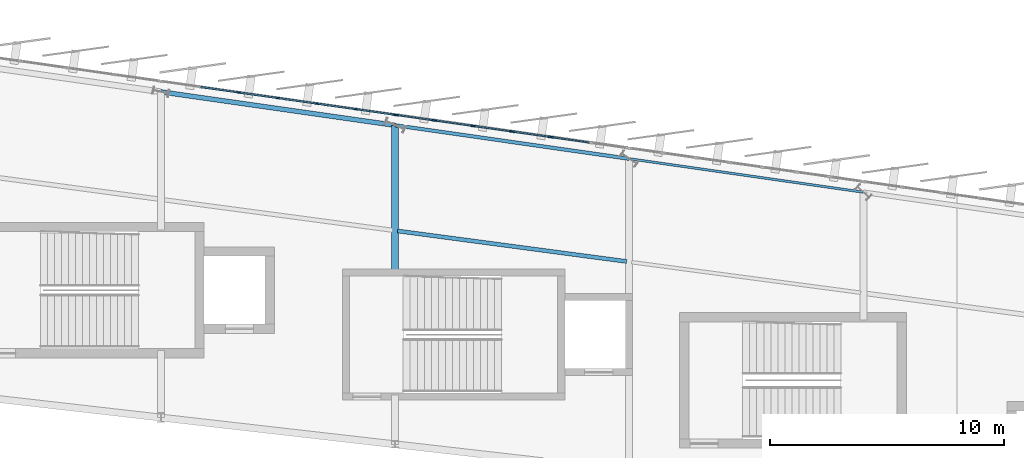
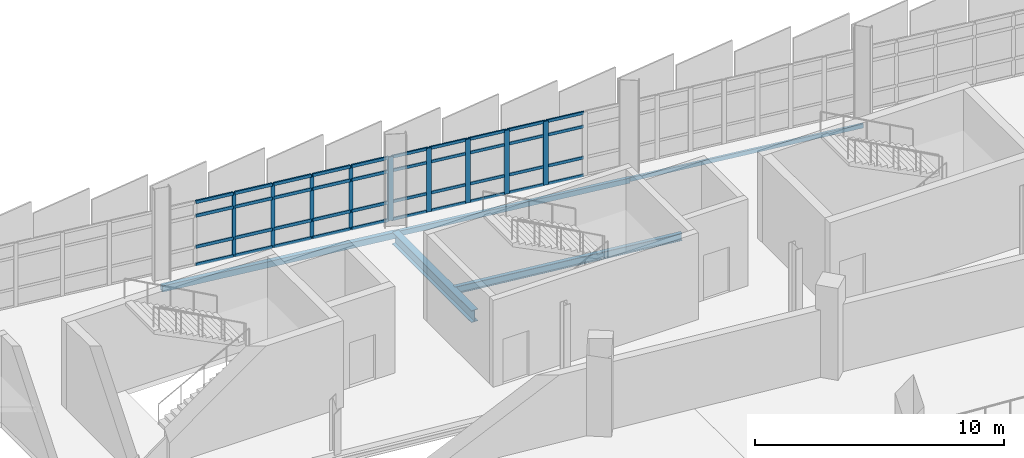
# One storey, part 60 of 125: 50 members, 5 beams, 2 elements without a shape of their own.
"""IFC4 building model written with IfcOpenShell, lengths in metres."""

from ifc_helpers import new_model, si_unit, direction, frame, origin, origin_2d, place, context, subcontext, project, spatial, rectangle, hollow_rectangle, i_section, extrude, material, layer, layer_set, material_profile, profile_set, type_object, element, aggregate, save


model = new_model("IFC4")

# Units and contexts
model_context = context("Model", 3, precision=1e-05, world=origin(), true_north=direction((0.0, 1.0)))
body_context = subcontext(model_context, "Body", "Model", "MODEL_VIEW")
ifc_project = project(units=[si_unit("LENGTHUNIT", "METRE"), si_unit("AREAUNIT", "SQUARE_METRE"), si_unit("VOLUMEUNIT", "CUBIC_METRE"), si_unit("PLANEANGLEUNIT", "RADIAN"), si_unit("MASSUNIT", "GRAM", prefix="KILO")], contexts=[model_context])

# Site, building, storey
site_placement = place(None, origin())
site = spatial("IfcSite", under=ifc_project, at=site_placement, CompositionType="ELEMENT")
building_placement = place(site_placement, origin())
building = spatial("IfcBuilding", under=site, at=building_placement, Name="Sohan Crest Arena", CompositionType="ELEMENT")
storey_placement = place(building_placement, frame((0.0, 0.0, 9.0)))
storey = spatial("IfcBuildingStorey", under=building, at=storey_placement, Name="L02", CompositionType="ELEMENT", Elevation=9.0)

# Curtain wall, members
ifc_material_1 = material(Name="Thermally broken anodised aluminium", Category="aluminium")
ifc_layer_1 = layer(ifc_material_1, 0.219970703125, Name="Thermally broken anodised aluminium")
ifc_layer_set_1 = layer_set([ifc_layer_1], Name="Thermally broken anodised aluminium")
curtain_wall_type_1 = type_object("IfcCurtainWallType", Name="ARC-CW03", PredefinedType="NOTDEFINED", material=ifc_layer_set_1)
curtain_wall_1_placement = place(storey_placement, origin())
curtain_wall_1 = element("IfcCurtainWall", 1, at=curtain_wall_1_placement, inside=storey, type_object=curtain_wall_type_1, Name="Unitised curtain wall CW-078", PredefinedType="NOTDEFINED")
ifc_material_profile_1 = material_profile(ifc_material_1, rectangle(XDim=0.06005859375, YDim=0.159912109375, at=origin_2d()), Name="ALU-MULL 60x160")
ifc_profile_set_1 = profile_set([ifc_material_profile_1], Name="Thermally broken anodised aluminium")
member_type_1 = type_object("IfcMemberType", Name="ARC-CW-ML01", PredefinedType="MULLION", material=ifc_profile_set_1)
member_1_placement = place(storey_placement, frame((117.97021484375, 123.59716796875, 0.0), z_axis=(0.0, 0.0, 1.0), x_axis=(-0.141365918403, -0.989957411768, 0.0)))
member_1 = element("IfcMember", 2, at=member_1_placement, type_object=member_type_1, Name="CW-078 mullion 1", PredefinedType="MULLION", context=body_context, shape_type="SweptSolid", body=[
    extrude(rectangle(XDim=0.06005859375, YDim=0.159912109375, at=origin_2d()), origin(), (0.0, 0.0, 1.0), 3.1201171875),
])
member_2_placement = place(storey_placement, frame((116.333251953125, 123.8310546875, 0.0), z_axis=(0.0, 0.0, 1.0), x_axis=(-0.141365918403, -0.989957411768, 0.0)))
member_2 = element("IfcMember", 3, at=member_2_placement, type_object=member_type_1, Name="CW-078 mullion 2", PredefinedType="MULLION", context=body_context, shape_type="SweptSolid", body=[
    extrude(rectangle(XDim=0.06005859375, YDim=0.159912109375, at=origin_2d()), origin(), (0.0, 0.0, 1.0), 3.1201171875),
])
member_3_placement = place(storey_placement, frame((114.666748046875, 124.069091796875, 0.0), z_axis=(0.0, 0.0, 1.0), x_axis=(-0.141365918403, -0.989957411768, 0.0)))
member_3 = element("IfcMember", 4, at=member_3_placement, type_object=member_type_1, Name="CW-078 mullion 3", PredefinedType="MULLION", context=body_context, shape_type="SweptSolid", body=[
    extrude(rectangle(XDim=0.06005859375, YDim=0.159912109375, at=origin_2d()), origin(), (0.0, 0.0, 1.0), 3.1201171875),
])
member_4_placement = place(storey_placement, frame((113.0, 124.306884765625, 0.0), z_axis=(0.0, 0.0, 1.0), x_axis=(-0.141365918403, -0.989957411768, 0.0)))
member_4 = element("IfcMember", 5, at=member_4_placement, type_object=member_type_1, Name="CW-078 mullion 4", PredefinedType="MULLION", context=body_context, shape_type="SweptSolid", body=[
    extrude(rectangle(XDim=0.06005859375, YDim=0.159912109375, at=origin_2d()), origin(), (0.0, 0.0, 1.0), 3.1201171875),
])
member_5_placement = place(storey_placement, frame((111.333251953125, 124.544921875, 0.0), z_axis=(0.0, 0.0, 1.0), x_axis=(-0.141365918403, -0.989957411768, 0.0)))
member_5 = element("IfcMember", 6, at=member_5_placement, type_object=member_type_1, Name="CW-078 mullion 5", PredefinedType="MULLION", context=body_context, shape_type="SweptSolid", body=[
    extrude(rectangle(XDim=0.06005859375, YDim=0.159912109375, at=origin_2d()), origin(), (0.0, 0.0, 1.0), 3.1201171875),
])

ifc_layer_2 = layer(ifc_material_1, 0.199951171875, Name="Thermally broken anodised aluminium")
ifc_layer_set_2 = layer_set([ifc_layer_2], Name="Thermally broken anodised aluminium")
curtain_wall_type_2 = type_object("IfcCurtainWallType", Name="ARC-CW02", PredefinedType="NOTDEFINED", material=ifc_layer_set_2)
curtain_wall_2_placement = place(storey_placement, origin())
curtain_wall_2 = element("IfcCurtainWall", 7, at=curtain_wall_2_placement, inside=storey, type_object=curtain_wall_type_2, Name="Unitised curtain wall CW-077", PredefinedType="NOTDEFINED")
ifc_material_profile_2 = material_profile(ifc_material_1, rectangle(XDim=0.074951171875, YDim=0.219970703125, at=origin_2d()), Name="ALU-MULL 75x220")
ifc_profile_set_2 = profile_set([ifc_material_profile_2], Name="Thermally broken anodised aluminium")
member_type_2 = type_object("IfcMemberType", Name="ARC-CW-ML04", PredefinedType="MULLION", material=ifc_profile_set_2)
member_6_placement = place(storey_placement, frame((124.666748046875, 122.640380859375, 0.0), z_axis=(0.0, 0.0, 1.0), x_axis=(-0.141462933734, -0.989943553128, 0.0)))
member_6 = element("IfcMember", 8, at=member_6_placement, type_object=member_type_2, Name="CW-077 mullion 3", PredefinedType="MULLION", context=body_context, shape_type="SweptSolid", body=[
    extrude(rectangle(XDim=0.074951171875, YDim=0.219970703125, at=origin_2d()), origin(), (0.0, 0.0, 1.0), 3.1201171875),
])
member_7_placement = place(storey_placement, frame((123.0, 122.87841796875, 0.0), z_axis=(0.0, 0.0, 1.0), x_axis=(-0.141462933734, -0.989943553128, 0.0)))
member_7 = element("IfcMember", 9, at=member_7_placement, type_object=member_type_2, Name="CW-077 mullion 4", PredefinedType="MULLION", context=body_context, shape_type="SweptSolid", body=[
    extrude(rectangle(XDim=0.074951171875, YDim=0.219970703125, at=origin_2d()), origin(), (0.0, 0.0, 1.0), 3.1201171875),
])
member_8_placement = place(storey_placement, frame((121.333251953125, 123.11669921875, 0.0), z_axis=(0.0, 0.0, 1.0), x_axis=(-0.141462933734, -0.989943553128, 0.0)))
member_8 = element("IfcMember", 10, at=member_8_placement, type_object=member_type_2, Name="CW-077 mullion 5", PredefinedType="MULLION", context=body_context, shape_type="SweptSolid", body=[
    extrude(rectangle(XDim=0.074951171875, YDim=0.219970703125, at=origin_2d()), origin(), (0.0, 0.0, 1.0), 3.1201171875),
])
member_9_placement = place(storey_placement, frame((119.666748046875, 123.354736328125, 0.0), z_axis=(0.0, 0.0, 1.0), x_axis=(-0.141462933734, -0.989943553128, 0.0)))
member_9 = element("IfcMember", 11, at=member_9_placement, type_object=member_type_2, Name="CW-077 mullion 6", PredefinedType="MULLION", context=body_context, shape_type="SweptSolid", body=[
    extrude(rectangle(XDim=0.074951171875, YDim=0.219970703125, at=origin_2d()), origin(), (0.0, 0.0, 1.0), 3.1201171875),
])
member_10_placement = place(storey_placement, frame((118.037109375, 123.587646484375, 0.0), z_axis=(0.0, 0.0, 1.0), x_axis=(-0.141462933734, -0.989943553128, 0.0)))
member_10 = element("IfcMember", 12, at=member_10_placement, type_object=member_type_2, Name="CW-077 mullion 7", PredefinedType="MULLION", context=body_context, shape_type="SweptSolid", body=[
    extrude(rectangle(XDim=0.074951171875, YDim=0.219970703125, at=origin_2d()), origin(), (0.0, 0.0, 1.0), 3.1201171875),
])
ifc_material_profile_3 = material_profile(ifc_material_1, rectangle(XDim=0.06494140625, YDim=0.139892578125, at=origin_2d()), Name="ALU-TRAN 65x140")
ifc_profile_set_3 = profile_set([ifc_material_profile_3], Name="Thermally broken anodised aluminium")
member_type_3 = type_object("IfcMemberType", Name="ARC-CW-TR02", PredefinedType="USERDEFINED", material=ifc_profile_set_3)
member_11_placement = place(storey_placement, frame((126.296142578125, 122.407470703125, 0.032470703125), z_axis=(-0.989943421339, 0.141463855978, 0.0), x_axis=(-0.141463855978, -0.989943421339, 0.0)))
member_11 = element("IfcMember", 13, at=member_11_placement, type_object=member_type_3, Name="CW-077 transom 2.1", ObjectType="TRANSOM", PredefinedType="USERDEFINED", context=body_context, shape_type="SweptSolid", body=[
    extrude(rectangle(XDim=0.06494140625, YDim=0.139892578125, at=origin_2d()), origin(), (0.0, 0.0, 1.0), 1.6083984375),
])
member_12_placement = place(storey_placement, frame((126.296142578125, 122.407470703125, 0.89990234375), z_axis=(-0.989943421339, 0.141463855978, 0.0), x_axis=(-0.141463855978, -0.989943421339, 0.0)))
member_12 = element("IfcMember", 14, at=member_12_placement, type_object=member_type_3, Name="CW-077 transom 2.2", ObjectType="TRANSOM", PredefinedType="USERDEFINED", context=body_context, shape_type="SweptSolid", body=[
    extrude(rectangle(XDim=0.06494140625, YDim=0.139892578125, at=origin_2d()), origin(), (0.0, 0.0, 1.0), 1.6083984375),
])
member_13_placement = place(storey_placement, frame((126.296142578125, 122.407470703125, 2.419921875), z_axis=(-0.989943421339, 0.141463855978, 0.0), x_axis=(-0.141463855978, -0.989943421339, 0.0)))
member_13 = element("IfcMember", 15, at=member_13_placement, type_object=member_type_3, Name="CW-077 transom 2.3", ObjectType="TRANSOM", PredefinedType="USERDEFINED", context=body_context, shape_type="SweptSolid", body=[
    extrude(rectangle(XDim=0.06494140625, YDim=0.139892578125, at=origin_2d()), origin(), (0.0, 0.0, 1.0), 1.6083984375),
])
member_14_placement = place(storey_placement, frame((126.296142578125, 122.407470703125, 3.08740234375), z_axis=(-0.989943421339, 0.141463855978, 0.0), x_axis=(-0.141463855978, -0.989943421339, 0.0)))
member_14 = element("IfcMember", 16, at=member_14_placement, type_object=member_type_3, Name="CW-077 transom 2.4", ObjectType="TRANSOM", PredefinedType="USERDEFINED", context=body_context, shape_type="SweptSolid", body=[
    extrude(rectangle(XDim=0.06494140625, YDim=0.139892578125, at=origin_2d()), origin(), (0.0, 0.0, 1.0), 1.6083984375),
])
member_15_placement = place(storey_placement, frame((124.629638671875, 122.645751953125, 0.032470703125), z_axis=(-0.989946458184, 0.141442602948, 0.0), x_axis=(-0.141442602948, -0.989946458184, 0.0)))
member_15 = element("IfcMember", 17, at=member_15_placement, type_object=member_type_3, Name="CW-077 transom 3.1", ObjectType="TRANSOM", PredefinedType="USERDEFINED", context=body_context, shape_type="SweptSolid", body=[
    extrude(rectangle(XDim=0.06494140625, YDim=0.139892578125, at=origin_2d()), origin(), (0.0, 0.0, 1.0), 1.608642578125),
])
member_16_placement = place(storey_placement, frame((124.629638671875, 122.645751953125, 0.89990234375), z_axis=(-0.989946458184, 0.141442602948, 0.0), x_axis=(-0.141442602948, -0.989946458184, 0.0)))
member_16 = element("IfcMember", 18, at=member_16_placement, type_object=member_type_3, Name="CW-077 transom 3.2", ObjectType="TRANSOM", PredefinedType="USERDEFINED", context=body_context, shape_type="SweptSolid", body=[
    extrude(rectangle(XDim=0.06494140625, YDim=0.139892578125, at=origin_2d()), origin(), (0.0, 0.0, 1.0), 1.608642578125),
])
member_17_placement = place(storey_placement, frame((124.629638671875, 122.645751953125, 2.419921875), z_axis=(-0.989946458184, 0.141442602948, 0.0), x_axis=(-0.141442602948, -0.989946458184, 0.0)))
member_17 = element("IfcMember", 19, at=member_17_placement, type_object=member_type_3, Name="CW-077 transom 3.3", ObjectType="TRANSOM", PredefinedType="USERDEFINED", context=body_context, shape_type="SweptSolid", body=[
    extrude(rectangle(XDim=0.06494140625, YDim=0.139892578125, at=origin_2d()), origin(), (0.0, 0.0, 1.0), 1.608642578125),
])
member_18_placement = place(storey_placement, frame((124.629638671875, 122.645751953125, 3.08740234375), z_axis=(-0.989946458184, 0.141442602948, 0.0), x_axis=(-0.141442602948, -0.989946458184, 0.0)))
member_18 = element("IfcMember", 20, at=member_18_placement, type_object=member_type_3, Name="CW-077 transom 3.4", ObjectType="TRANSOM", PredefinedType="USERDEFINED", context=body_context, shape_type="SweptSolid", body=[
    extrude(rectangle(XDim=0.06494140625, YDim=0.139892578125, at=origin_2d()), origin(), (0.0, 0.0, 1.0), 1.608642578125),
])
member_19_placement = place(storey_placement, frame((122.962890625, 122.8837890625, 0.032470703125), z_axis=(-0.989946458184, 0.141442602948, 0.0), x_axis=(-0.141442602948, -0.989946458184, 0.0)))
member_19 = element("IfcMember", 21, at=member_19_placement, type_object=member_type_3, Name="CW-077 transom 4.1", ObjectType="TRANSOM", PredefinedType="USERDEFINED", context=body_context, shape_type="SweptSolid", body=[
    extrude(rectangle(XDim=0.06494140625, YDim=0.139892578125, at=origin_2d()), origin(), (0.0, 0.0, 1.0), 1.608642578125),
])
member_20_placement = place(storey_placement, frame((122.962890625, 122.8837890625, 0.89990234375), z_axis=(-0.989946458184, 0.141442602948, 0.0), x_axis=(-0.141442602948, -0.989946458184, 0.0)))
member_20 = element("IfcMember", 22, at=member_20_placement, type_object=member_type_3, Name="CW-077 transom 4.2", ObjectType="TRANSOM", PredefinedType="USERDEFINED", context=body_context, shape_type="SweptSolid", body=[
    extrude(rectangle(XDim=0.06494140625, YDim=0.139892578125, at=origin_2d()), origin(), (0.0, 0.0, 1.0), 1.608642578125),
])
member_21_placement = place(storey_placement, frame((122.962890625, 122.8837890625, 2.419921875), z_axis=(-0.989946458184, 0.141442602948, 0.0), x_axis=(-0.141442602948, -0.989946458184, 0.0)))
member_21 = element("IfcMember", 23, at=member_21_placement, type_object=member_type_3, Name="CW-077 transom 4.3", ObjectType="TRANSOM", PredefinedType="USERDEFINED", context=body_context, shape_type="SweptSolid", body=[
    extrude(rectangle(XDim=0.06494140625, YDim=0.139892578125, at=origin_2d()), origin(), (0.0, 0.0, 1.0), 1.608642578125),
])
member_22_placement = place(storey_placement, frame((122.962890625, 122.8837890625, 3.08740234375), z_axis=(-0.989946458184, 0.141442602948, 0.0), x_axis=(-0.141442602948, -0.989946458184, 0.0)))
member_22 = element("IfcMember", 24, at=member_22_placement, type_object=member_type_3, Name="CW-077 transom 4.4", ObjectType="TRANSOM", PredefinedType="USERDEFINED", context=body_context, shape_type="SweptSolid", body=[
    extrude(rectangle(XDim=0.06494140625, YDim=0.139892578125, at=origin_2d()), origin(), (0.0, 0.0, 1.0), 1.608642578125),
])
member_23_placement = place(storey_placement, frame((121.296142578125, 123.1220703125, 0.032470703125), z_axis=(-0.989943421339, 0.141463855978, 0.0), x_axis=(-0.141463855978, -0.989943421339, 0.0)))
member_23 = element("IfcMember", 25, at=member_23_placement, type_object=member_type_3, Name="CW-077 transom 5.1", ObjectType="TRANSOM", PredefinedType="USERDEFINED", context=body_context, shape_type="SweptSolid", body=[
    extrude(rectangle(XDim=0.06494140625, YDim=0.139892578125, at=origin_2d()), origin(), (0.0, 0.0, 1.0), 1.6083984375),
])
member_24_placement = place(storey_placement, frame((121.296142578125, 123.1220703125, 0.89990234375), z_axis=(-0.989943421339, 0.141463855978, 0.0), x_axis=(-0.141463855978, -0.989943421339, 0.0)))
member_24 = element("IfcMember", 26, at=member_24_placement, type_object=member_type_3, Name="CW-077 transom 5.2", ObjectType="TRANSOM", PredefinedType="USERDEFINED", context=body_context, shape_type="SweptSolid", body=[
    extrude(rectangle(XDim=0.06494140625, YDim=0.139892578125, at=origin_2d()), origin(), (0.0, 0.0, 1.0), 1.6083984375),
])
member_25_placement = place(storey_placement, frame((121.296142578125, 123.1220703125, 2.419921875), z_axis=(-0.989943421339, 0.141463855978, 0.0), x_axis=(-0.141463855978, -0.989943421339, 0.0)))
member_25 = element("IfcMember", 27, at=member_25_placement, type_object=member_type_3, Name="CW-077 transom 5.3", ObjectType="TRANSOM", PredefinedType="USERDEFINED", context=body_context, shape_type="SweptSolid", body=[
    extrude(rectangle(XDim=0.06494140625, YDim=0.139892578125, at=origin_2d()), origin(), (0.0, 0.0, 1.0), 1.6083984375),
])
member_26_placement = place(storey_placement, frame((121.296142578125, 123.1220703125, 3.08740234375), z_axis=(-0.989943421339, 0.141463855978, 0.0), x_axis=(-0.141463855978, -0.989943421339, 0.0)))
member_26 = element("IfcMember", 28, at=member_26_placement, type_object=member_type_3, Name="CW-077 transom 5.4", ObjectType="TRANSOM", PredefinedType="USERDEFINED", context=body_context, shape_type="SweptSolid", body=[
    extrude(rectangle(XDim=0.06494140625, YDim=0.139892578125, at=origin_2d()), origin(), (0.0, 0.0, 1.0), 1.6083984375),
])
member_27_placement = place(storey_placement, frame((119.629638671875, 123.360107421875, 0.032470703125), z_axis=(-0.989952601106, 0.141399602418, 0.0), x_axis=(-0.141399602418, -0.989952601106, 0.0)))
member_27 = element("IfcMember", 29, at=member_27_placement, type_object=member_type_3, Name="CW-077 transom 6.1", ObjectType="TRANSOM", PredefinedType="USERDEFINED", context=body_context, shape_type="SweptSolid", body=[
    extrude(rectangle(XDim=0.06494140625, YDim=0.139892578125, at=origin_2d()), origin(), (0.0, 0.0, 1.0), 1.5712890625),
])
member_28_placement = place(storey_placement, frame((119.629638671875, 123.360107421875, 0.89990234375), z_axis=(-0.989952601106, 0.141399602418, 0.0), x_axis=(-0.141399602418, -0.989952601106, 0.0)))
member_28 = element("IfcMember", 30, at=member_28_placement, type_object=member_type_3, Name="CW-077 transom 6.2", ObjectType="TRANSOM", PredefinedType="USERDEFINED", context=body_context, shape_type="SweptSolid", body=[
    extrude(rectangle(XDim=0.06494140625, YDim=0.139892578125, at=origin_2d()), origin(), (0.0, 0.0, 1.0), 1.5712890625),
])
member_29_placement = place(storey_placement, frame((119.629638671875, 123.360107421875, 2.419921875), z_axis=(-0.989952601106, 0.141399602418, 0.0), x_axis=(-0.141399602418, -0.989952601106, 0.0)))
member_29 = element("IfcMember", 31, at=member_29_placement, type_object=member_type_3, Name="CW-077 transom 6.3", ObjectType="TRANSOM", PredefinedType="USERDEFINED", context=body_context, shape_type="SweptSolid", body=[
    extrude(rectangle(XDim=0.06494140625, YDim=0.139892578125, at=origin_2d()), origin(), (0.0, 0.0, 1.0), 1.5712890625),
])
member_30_placement = place(storey_placement, frame((119.629638671875, 123.360107421875, 3.08740234375), z_axis=(-0.989952601106, 0.141399602418, 0.0), x_axis=(-0.141399602418, -0.989952601106, 0.0)))
member_30 = element("IfcMember", 32, at=member_30_placement, type_object=member_type_3, Name="CW-077 transom 6.4", ObjectType="TRANSOM", PredefinedType="USERDEFINED", context=body_context, shape_type="SweptSolid", body=[
    extrude(rectangle(XDim=0.06494140625, YDim=0.139892578125, at=origin_2d()), origin(), (0.0, 0.0, 1.0), 1.5712890625),
])
aggregate(curtain_wall_2, [member_6, member_7, member_8, member_9, member_10, member_11, member_12, member_13, member_14, member_15, member_16, member_17, member_18, member_19, member_20, member_21, member_22, member_23, member_24, member_25, member_26, member_27, member_28, member_29, member_30])

# Member
ifc_material_profile_4 = material_profile(ifc_material_1, rectangle(XDim=0.070068359375, YDim=0.14990234375, at=origin_2d()), Name="ALU-TRAN 70x150")
ifc_profile_set_4 = profile_set([ifc_material_profile_4], Name="Thermally broken anodised aluminium")
member_type_4 = type_object("IfcMemberType", Name="ARC-CW-TR03", PredefinedType="USERDEFINED", material=ifc_profile_set_4)
member_31_placement = place(storey_placement, frame((117.940673828125, 123.6015625, 0.034912109375), z_axis=(-0.989973990682, 0.141249770877, 0.0), x_axis=(-0.141249770877, -0.989973990682, 0.0)))
member_31 = element("IfcMember", 33, at=member_31_placement, type_object=member_type_4, Name="CW-078 transom 1.1", ObjectType="TRANSOM", PredefinedType="USERDEFINED", context=body_context, shape_type="SweptSolid", body=[
    extrude(rectangle(XDim=0.070068359375, YDim=0.14990234375, at=origin_2d()), origin(), (0.0, 0.0, 1.0), 1.593505859375),
])

member_32_placement = place(storey_placement, frame((117.940673828125, 123.6015625, 0.89990234375), z_axis=(-0.989973990682, 0.141249770877, 0.0), x_axis=(-0.141249770877, -0.989973990682, 0.0)))
member_32 = element("IfcMember", 34, at=member_32_placement, type_object=member_type_4, Name="CW-078 transom 1.2", ObjectType="TRANSOM", PredefinedType="USERDEFINED", context=body_context, shape_type="SweptSolid", body=[
    extrude(rectangle(XDim=0.070068359375, YDim=0.14990234375, at=origin_2d()), origin(), (0.0, 0.0, 1.0), 1.593505859375),
])

member_33_placement = place(storey_placement, frame((117.940673828125, 123.6015625, 2.419921875), z_axis=(-0.989973990682, 0.141249770877, 0.0), x_axis=(-0.141249770877, -0.989973990682, 0.0)))
member_33 = element("IfcMember", 35, at=member_33_placement, type_object=member_type_4, Name="CW-078 transom 1.3", ObjectType="TRANSOM", PredefinedType="USERDEFINED", context=body_context, shape_type="SweptSolid", body=[
    extrude(rectangle(XDim=0.070068359375, YDim=0.14990234375, at=origin_2d()), origin(), (0.0, 0.0, 1.0), 1.593505859375),
])

member_34_placement = place(storey_placement, frame((117.940673828125, 123.6015625, 3.0849609375), z_axis=(-0.989973990682, 0.141249770877, 0.0), x_axis=(-0.141249770877, -0.989973990682, 0.0)))
member_34 = element("IfcMember", 36, at=member_34_placement, type_object=member_type_4, Name="CW-078 transom 1.4", ObjectType="TRANSOM", PredefinedType="USERDEFINED", context=body_context, shape_type="SweptSolid", body=[
    extrude(rectangle(XDim=0.070068359375, YDim=0.14990234375, at=origin_2d()), origin(), (0.0, 0.0, 1.0), 1.593505859375),
])

member_35_placement = place(storey_placement, frame((116.3037109375, 123.835205078125, 0.034912109375), z_axis=(-0.989961518774, 0.141337154868, 0.0), x_axis=(-0.141337154868, -0.989961518774, 0.0)))
member_35 = element("IfcMember", 37, at=member_35_placement, type_object=member_type_4, Name="CW-078 transom 2.1", ObjectType="TRANSOM", PredefinedType="USERDEFINED", context=body_context, shape_type="SweptSolid", body=[
    extrude(rectangle(XDim=0.070068359375, YDim=0.14990234375, at=origin_2d()), origin(), (0.0, 0.0, 1.0), 1.623779296875),
])

member_36_placement = place(storey_placement, frame((116.3037109375, 123.835205078125, 0.89990234375), z_axis=(-0.989961518774, 0.141337154868, 0.0), x_axis=(-0.141337154868, -0.989961518774, 0.0)))
member_36 = element("IfcMember", 38, at=member_36_placement, type_object=member_type_4, Name="CW-078 transom 2.2", ObjectType="TRANSOM", PredefinedType="USERDEFINED", context=body_context, shape_type="SweptSolid", body=[
    extrude(rectangle(XDim=0.070068359375, YDim=0.14990234375, at=origin_2d()), origin(), (0.0, 0.0, 1.0), 1.623779296875),
])

member_37_placement = place(storey_placement, frame((116.3037109375, 123.835205078125, 2.419921875), z_axis=(-0.989961518774, 0.141337154868, 0.0), x_axis=(-0.141337154868, -0.989961518774, 0.0)))
member_37 = element("IfcMember", 39, at=member_37_placement, type_object=member_type_4, Name="CW-078 transom 2.3", ObjectType="TRANSOM", PredefinedType="USERDEFINED", context=body_context, shape_type="SweptSolid", body=[
    extrude(rectangle(XDim=0.070068359375, YDim=0.14990234375, at=origin_2d()), origin(), (0.0, 0.0, 1.0), 1.623779296875),
])

member_38_placement = place(storey_placement, frame((116.3037109375, 123.835205078125, 3.0849609375), z_axis=(-0.989961518774, 0.141337154868, 0.0), x_axis=(-0.141337154868, -0.989961518774, 0.0)))
member_38 = element("IfcMember", 40, at=member_38_placement, type_object=member_type_4, Name="CW-078 transom 2.4", ObjectType="TRANSOM", PredefinedType="USERDEFINED", context=body_context, shape_type="SweptSolid", body=[
    extrude(rectangle(XDim=0.070068359375, YDim=0.14990234375, at=origin_2d()), origin(), (0.0, 0.0, 1.0), 1.623779296875),
])

member_39_placement = place(storey_placement, frame((114.636962890625, 124.0732421875, 0.034912109375), z_axis=(-0.98995851451, 0.141358195904, 0.0), x_axis=(-0.141358195904, -0.98995851451, 0.0)))
member_39 = element("IfcMember", 41, at=member_39_placement, type_object=member_type_4, Name="CW-078 transom 3.1", ObjectType="TRANSOM", PredefinedType="USERDEFINED", context=body_context, shape_type="SweptSolid", body=[
    extrude(rectangle(XDim=0.070068359375, YDim=0.14990234375, at=origin_2d()), origin(), (0.0, 0.0, 1.0), 1.62353515625),
])

member_40_placement = place(storey_placement, frame((114.636962890625, 124.0732421875, 0.89990234375), z_axis=(-0.98995851451, 0.141358195904, 0.0), x_axis=(-0.141358195904, -0.98995851451, 0.0)))
member_40 = element("IfcMember", 42, at=member_40_placement, type_object=member_type_4, Name="CW-078 transom 3.2", ObjectType="TRANSOM", PredefinedType="USERDEFINED", context=body_context, shape_type="SweptSolid", body=[
    extrude(rectangle(XDim=0.070068359375, YDim=0.14990234375, at=origin_2d()), origin(), (0.0, 0.0, 1.0), 1.62353515625),
])

member_41_placement = place(storey_placement, frame((114.636962890625, 124.0732421875, 2.419921875), z_axis=(-0.98995851451, 0.141358195904, 0.0), x_axis=(-0.141358195904, -0.98995851451, 0.0)))
member_41 = element("IfcMember", 43, at=member_41_placement, type_object=member_type_4, Name="CW-078 transom 3.3", ObjectType="TRANSOM", PredefinedType="USERDEFINED", context=body_context, shape_type="SweptSolid", body=[
    extrude(rectangle(XDim=0.070068359375, YDim=0.14990234375, at=origin_2d()), origin(), (0.0, 0.0, 1.0), 1.62353515625),
])

member_42_placement = place(storey_placement, frame((114.636962890625, 124.0732421875, 3.0849609375), z_axis=(-0.98995851451, 0.141358195904, 0.0), x_axis=(-0.141358195904, -0.98995851451, 0.0)))
member_42 = element("IfcMember", 44, at=member_42_placement, type_object=member_type_4, Name="CW-078 transom 3.4", ObjectType="TRANSOM", PredefinedType="USERDEFINED", context=body_context, shape_type="SweptSolid", body=[
    extrude(rectangle(XDim=0.070068359375, YDim=0.14990234375, at=origin_2d()), origin(), (0.0, 0.0, 1.0), 1.62353515625),
])

member_43_placement = place(storey_placement, frame((112.97021484375, 124.311279296875, 0.034912109375), z_axis=(-0.98995851451, 0.141358195904, 0.0), x_axis=(-0.141358195904, -0.98995851451, 0.0)))
member_43 = element("IfcMember", 45, at=member_43_placement, type_object=member_type_4, Name="CW-078 transom 4.1", ObjectType="TRANSOM", PredefinedType="USERDEFINED", context=body_context, shape_type="SweptSolid", body=[
    extrude(rectangle(XDim=0.070068359375, YDim=0.14990234375, at=origin_2d()), origin(), (0.0, 0.0, 1.0), 1.62353515625),
])

member_44_placement = place(storey_placement, frame((112.97021484375, 124.311279296875, 0.89990234375), z_axis=(-0.98995851451, 0.141358195904, 0.0), x_axis=(-0.141358195904, -0.98995851451, 0.0)))
member_44 = element("IfcMember", 46, at=member_44_placement, type_object=member_type_4, Name="CW-078 transom 4.2", ObjectType="TRANSOM", PredefinedType="USERDEFINED", context=body_context, shape_type="SweptSolid", body=[
    extrude(rectangle(XDim=0.070068359375, YDim=0.14990234375, at=origin_2d()), origin(), (0.0, 0.0, 1.0), 1.62353515625),
])

member_45_placement = place(storey_placement, frame((112.97021484375, 124.311279296875, 2.419921875), z_axis=(-0.98995851451, 0.141358195904, 0.0), x_axis=(-0.141358195904, -0.98995851451, 0.0)))
member_45 = element("IfcMember", 47, at=member_45_placement, type_object=member_type_4, Name="CW-078 transom 4.3", ObjectType="TRANSOM", PredefinedType="USERDEFINED", context=body_context, shape_type="SweptSolid", body=[
    extrude(rectangle(XDim=0.070068359375, YDim=0.14990234375, at=origin_2d()), origin(), (0.0, 0.0, 1.0), 1.62353515625),
])

member_46_placement = place(storey_placement, frame((112.97021484375, 124.311279296875, 3.0849609375), z_axis=(-0.98995851451, 0.141358195904, 0.0), x_axis=(-0.141358195904, -0.98995851451, 0.0)))
member_46 = element("IfcMember", 48, at=member_46_placement, type_object=member_type_4, Name="CW-078 transom 4.4", ObjectType="TRANSOM", PredefinedType="USERDEFINED", context=body_context, shape_type="SweptSolid", body=[
    extrude(rectangle(XDim=0.070068359375, YDim=0.14990234375, at=origin_2d()), origin(), (0.0, 0.0, 1.0), 1.62353515625),
])

member_47_placement = place(storey_placement, frame((111.3037109375, 124.54931640625, 0.034912109375), z_axis=(-0.989961518774, 0.141337154868, 0.0), x_axis=(-0.141337154868, -0.989961518774, 0.0)))
member_47 = element("IfcMember", 49, at=member_47_placement, type_object=member_type_4, Name="CW-078 transom 5.1", ObjectType="TRANSOM", PredefinedType="USERDEFINED", context=body_context, shape_type="SweptSolid", body=[
    extrude(rectangle(XDim=0.070068359375, YDim=0.14990234375, at=origin_2d()), origin(), (0.0, 0.0, 1.0), 1.623779296875),
])

member_48_placement = place(storey_placement, frame((111.3037109375, 124.54931640625, 0.89990234375), z_axis=(-0.989961518774, 0.141337154868, 0.0), x_axis=(-0.141337154868, -0.989961518774, 0.0)))
member_48 = element("IfcMember", 50, at=member_48_placement, type_object=member_type_4, Name="CW-078 transom 5.2", ObjectType="TRANSOM", PredefinedType="USERDEFINED", context=body_context, shape_type="SweptSolid", body=[
    extrude(rectangle(XDim=0.070068359375, YDim=0.14990234375, at=origin_2d()), origin(), (0.0, 0.0, 1.0), 1.623779296875),
])

member_49_placement = place(storey_placement, frame((111.3037109375, 124.54931640625, 2.419921875), z_axis=(-0.989961518774, 0.141337154868, 0.0), x_axis=(-0.141337154868, -0.989961518774, 0.0)))
member_49 = element("IfcMember", 51, at=member_49_placement, type_object=member_type_4, Name="CW-078 transom 5.3", ObjectType="TRANSOM", PredefinedType="USERDEFINED", context=body_context, shape_type="SweptSolid", body=[
    extrude(rectangle(XDim=0.070068359375, YDim=0.14990234375, at=origin_2d()), origin(), (0.0, 0.0, 1.0), 1.623779296875),
])

member_50_placement = place(storey_placement, frame((111.3037109375, 124.54931640625, 3.0849609375), z_axis=(-0.989961518774, 0.141337154868, 0.0), x_axis=(-0.141337154868, -0.989961518774, 0.0)))
member_50 = element("IfcMember", 52, at=member_50_placement, type_object=member_type_4, Name="CW-078 transom 5.4", ObjectType="TRANSOM", PredefinedType="USERDEFINED", context=body_context, shape_type="SweptSolid", body=[
    extrude(rectangle(XDim=0.070068359375, YDim=0.14990234375, at=origin_2d()), origin(), (0.0, 0.0, 1.0), 1.623779296875),
])

aggregate(curtain_wall_1, [member_1, member_2, member_3, member_4, member_5, member_31, member_32, member_33, member_34, member_35, member_36, member_37, member_38, member_39, member_40, member_41, member_42, member_43, member_44, member_45, member_46, member_47, member_48, member_49, member_50])

# Beams
ifc_material_2 = material(Name="Steel S355", Category="steel")
ifc_material_profile_5 = material_profile(ifc_material_2, i_section(OverallWidth=0.169921875, OverallDepth=0.360107421875, WebThickness=0.008056640625, FlangeThickness=0.0126953125, at=origin_2d()), Name="IPE 360")
ifc_profile_set_5 = profile_set([ifc_material_profile_5], Name="Steel S355")
beam_type_1 = type_object("IfcBeamType", Name="STR-BM-B02", PredefinedType="JOIST", material=ifc_profile_set_5)
beam_1_placement = place(storey_placement, frame((127.89111328125, 117.325927734375, -0.429931640625), z_axis=(-0.991232437337, 0.132129690721, 0.0), x_axis=(-0.132129690721, -0.991232437337, 0.0)))
element("IfcBeam", 53, at=beam_1_placement, inside=storey, type_object=beam_type_1, Name="Structural beam J-L02-1388", PredefinedType="JOIST", context=body_context, shape_type="SweptSolid", body=[
    extrude(i_section(OverallWidth=0.169921875, OverallDepth=0.360107421875, WebThickness=0.008056640625, FlangeThickness=0.0126953125, at=origin_2d()), origin(), (0.0, 0.0, 1.0), 9.86865234375),
])
ifc_material_profile_6 = material_profile(ifc_material_2, i_section(OverallWidth=0.300048828125, OverallDepth=0.590087890625, WebThickness=0.012939453125, FlangeThickness=0.02490234375, at=origin_2d()), Name="HEA 600")
ifc_profile_set_6 = profile_set([ifc_material_profile_6], Name="Steel S355")
beam_type_2 = type_object("IfcBeamType", Name="STR-BM-B11", PredefinedType="BEAM", material=ifc_profile_set_6)
beam_2_placement = place(storey_placement, frame((118.0, 116.780029296875, -0.544921875), z_axis=(0.0, 1.0, 0.0), x_axis=(-1.0, 0.0, 0.0)))
element("IfcBeam", 54, at=beam_2_placement, inside=storey, type_object=beam_type_2, Name="Structural beam G-L02-1390", PredefinedType="BEAM", context=body_context, shape_type="SweptSolid", body=[
    extrude(i_section(OverallWidth=0.300048828125, OverallDepth=0.590087890625, WebThickness=0.012939453125, FlangeThickness=0.02490234375, at=origin_2d()), origin(), (0.0, 0.0, 1.0), 6.363037109375),
])
ifc_material_profile_7 = material_profile(ifc_material_2, hollow_rectangle(XDim=0.10009765625, YDim=0.199951171875, WallThickness=0.008056640625, at=origin_2d()), Name="RHS 200x100x8")
ifc_profile_set_7 = profile_set([ifc_material_profile_7], Name="Steel S355")
beam_type_3 = type_object("IfcBeamType", Name="STR-BM-SP01", PredefinedType="SPANDREL", material=ifc_profile_set_7)
beam_3_placement = place(storey_placement, frame((138.0, 120.285888671875, -0.35009765625), z_axis=(-0.989954326844, 0.141387519825, 0.0), x_axis=(-0.141387519825, -0.989954326844, 0.0)))
element("IfcBeam", 55, at=beam_3_placement, inside=storey, type_object=beam_type_3, Name="Structural beam SP-L02-1383", PredefinedType="SPANDREL", context=body_context, shape_type="SweptSolid", body=[
    extrude(hollow_rectangle(XDim=0.10009765625, YDim=0.199951171875, WallThickness=0.008056640625, at=origin_2d()), origin(), (0.0, 0.0, 1.0), 10.1015625),
])
ifc_material_profile_8 = material_profile(ifc_material_2, hollow_rectangle(XDim=0.14990234375, YDim=0.25, WallThickness=0.010009765625, at=origin_2d()), Name="RHS 250x150x10")
ifc_profile_set_8 = profile_set([ifc_material_profile_8], Name="Steel S355")
beam_type_4 = type_object("IfcBeamType", Name="STR-BM-SP02", PredefinedType="SPANDREL", material=ifc_profile_set_8)
beam_4_placement = place(storey_placement, frame((128.0, 121.714111328125, -0.375), z_axis=(-0.989944175879, 0.141458575718, 0.0), x_axis=(-0.141458575718, -0.989944175879, 0.0)))
element("IfcBeam", 56, at=beam_4_placement, inside=storey, type_object=beam_type_4, Name="Structural beam SP-L02-1387", PredefinedType="SPANDREL", context=body_context, shape_type="SweptSolid", body=[
    extrude(hollow_rectangle(XDim=0.14990234375, YDim=0.25, WallThickness=0.010009765625, at=origin_2d()), origin(), (0.0, 0.0, 1.0), 10.1015625),
])
ifc_material_profile_9 = material_profile(ifc_material_2, hollow_rectangle(XDim=0.199951171875, YDim=0.300048828125, WallThickness=0.010009765625, at=origin_2d()), Name="RHS 300x200x10")
ifc_profile_set_9 = profile_set([ifc_material_profile_9], Name="Steel S355")
beam_type_5 = type_object("IfcBeamType", Name="STR-BM-SP03", PredefinedType="SPANDREL", material=ifc_profile_set_9)
beam_5_placement = place(storey_placement, frame((118.0, 123.14306640625, -0.39990234375), z_axis=(-0.989957709412, 0.141363834042, 0.0), x_axis=(-0.141363834042, -0.989957709412, 0.0)))
element("IfcBeam", 57, at=beam_5_placement, inside=storey, type_object=beam_type_5, Name="Structural beam SP-L02-1392", PredefinedType="SPANDREL", context=body_context, shape_type="SweptSolid", body=[
    extrude(hollow_rectangle(XDim=0.199951171875, YDim=0.300048828125, WallThickness=0.010009765625, at=origin_2d()), origin(), (0.0, 0.0, 1.0), 10.1015625),
])

save(model, "model.ifc")
